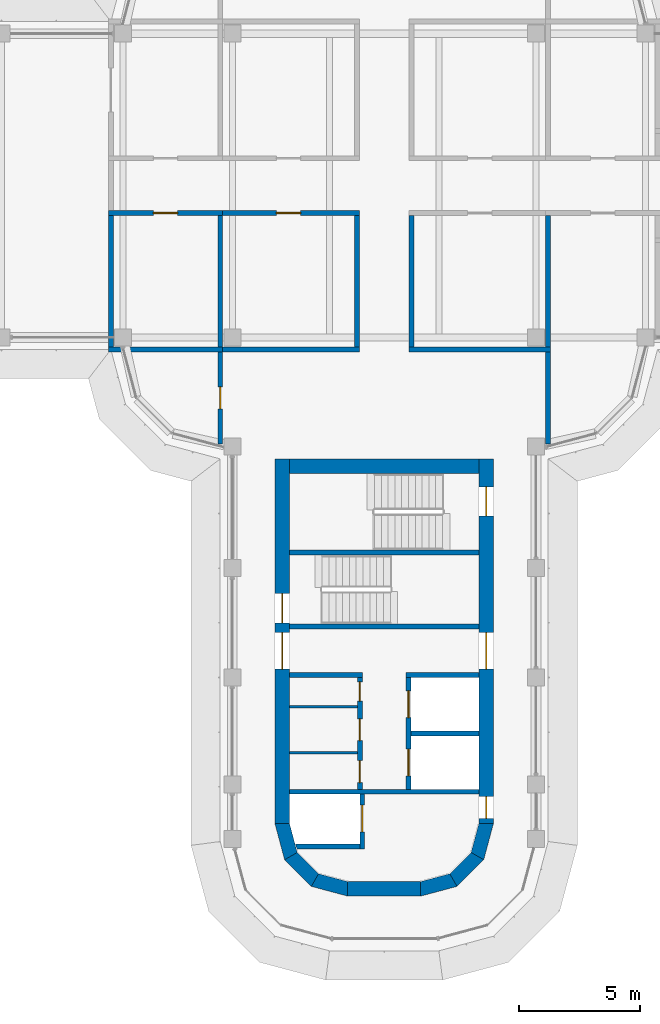
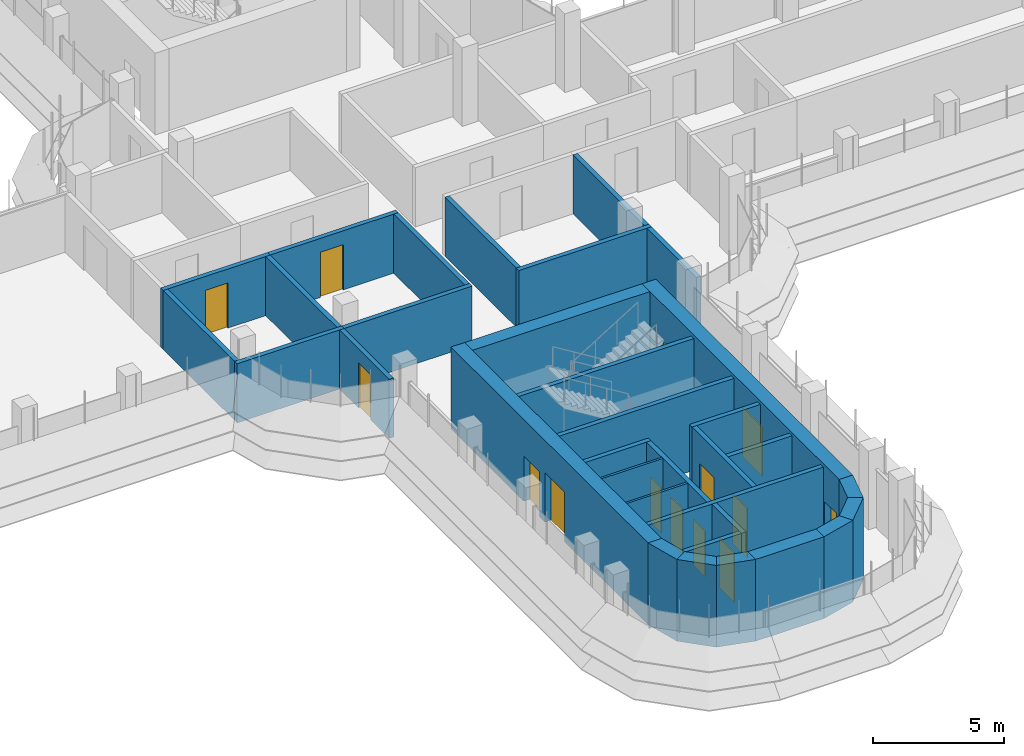
# One storey, part 13 of 19: 34 walls, 14 doors, 14 openings.
"""IFC4 building model written with IfcOpenShell, lengths in metres."""

from ifc_helpers import new_model, si_unit, direction, frame, frame_2d, origin, place, context, subcontext, project, spatial, polyline, rectangle, outline, extrude, material, layer, layer_set, type_object, element, fill, save


model = new_model("IFC4")

# Units and contexts
model_context = context("Model", 3, precision=1e-05, world=origin(), true_north=direction((0.0, 1.0)))
body_context = subcontext(model_context, "Body", "Model", "MODEL_VIEW")
ifc_project = project(units=[si_unit("LENGTHUNIT", "METRE"), si_unit("AREAUNIT", "SQUARE_METRE"), si_unit("VOLUMEUNIT", "CUBIC_METRE"), si_unit("PLANEANGLEUNIT", "RADIAN"), si_unit("MASSUNIT", "GRAM", prefix="KILO")], contexts=[model_context])

# Site, building, storey
site_placement = place(None, origin())
site = spatial("IfcSite", under=ifc_project, at=site_placement, CompositionType="ELEMENT")
building_placement = place(site_placement, origin())
building = spatial("IfcBuilding", under=site, at=building_placement, Name="Zarbagh Exchange Tower", CompositionType="ELEMENT")
storey_placement = place(building_placement, frame((0.0, 0.0, 241.0)))
storey = spatial("IfcBuildingStorey", under=building, at=storey_placement, Name="L59", CompositionType="ELEMENT", Elevation=241.0)

# Walls
ifc_material_1 = material(Name="Dense blockwork", Category="masonry")
ifc_layer_1 = layer(ifc_material_1, 0.10009765625)
ifc_layer_set_1 = layer_set([ifc_layer_1], Name="Core partition 100 mm blockwork")
wall_type_1 = type_object("IfcWallType", Name="Core partition 100 mm blockwork", PredefinedType="PARTITIONING", material=ifc_layer_set_1)
for number, where, z_axis, x_axis, name in (
    (1, (-1.10009765625, -23.35009765625, 0.0), (0.0, 0.0, 1.0), (-1.0, 0.0, 0.0), "South core partition wall CUT-E-500"),
    (2, (-1.10009765625, -21.449951171875, 0.0), (0.0, 0.0, 1.0), (-1.0, 0.0, 0.0), "South core partition wall CUT-E-690"),
):
    element("IfcWall", number, at=place(storey_placement, frame(where, z_axis=z_axis, x_axis=x_axis)), inside=storey, type_object=wall_type_1, Name=name, PredefinedType="PARTITIONING", context=body_context, shape_type="SweptSolid", body=[
        extrude(rectangle(XDim=2.7998046875, YDim=0.10009765625, at=frame_2d((1.39990234375, 0.0))), origin(), (0.0, 0.0, 1.0), 3.64990234375),
    ])

# Wall, opening, door
ifc_material_2 = material(Name="Fire-rated plasterboard partition")
ifc_layer_2 = layer(ifc_material_2, 0.199951171875)
ifc_layer_set_2 = layer_set([ifc_layer_2], Name="RATED PARTITION 200")
wall_type_2 = type_object("IfcWallType", Name="RATED PARTITION 200", PredefinedType="PARTITIONING", material=ifc_layer_set_2)
wall_1_placement = place(storey_placement, frame((-1.02490234375, -1.125, 0.0), z_axis=(0.0, 0.0, 1.0), x_axis=(-1.0, 0.0, 0.0)))
wall_1 = element("IfcWall", 3, at=wall_1_placement, inside=storey, type_object=wall_type_2, Name="Partition W-2507", PredefinedType="PARTITIONING", context=body_context, shape_type="SweptSolid", body=[
    extrude(rectangle(XDim=5.8251953125, YDim=0.199951171875, at=frame_2d((2.91259765625, 0.0))), origin(), (0.0, 0.0, 1.0), 2.745849609375),
])
opening_1_placement = place(wall_1_placement, frame((2.41259765625, 0.0, 0.0)))
opening_1 = element("IfcOpeningElement", 4, at=opening_1_placement, cuts=wall_1, Name="Opening D-2512", PredefinedType="OPENING", context=body_context, shape_type="SweptSolid", body=[
    extrude(rectangle(XDim=1.0, YDim=2.10009765625, at=frame_2d((0.5, 1.050048828125))), frame((0.0, 0.10986328125, 0.0), z_axis=(0.0, -1.0, 0.0), x_axis=(1.0, 0.0, 0.0)), (0.0, 0.0, 1.0), 0.219970703125),
])
ifc_material_3 = material(Name="Steel door set", Category="steel")
door_type_1 = type_object("IfcDoorType", Name="FIRE DOOR 1000 X 2100 FD30S", OperationType="NOTDEFINED", PredefinedType="DOOR", material=ifc_material_3)
door_1_placement = place(opening_1_placement, origin())
door_1 = element("IfcDoor", 5, at=door_1_placement, inside=storey, type_object=door_type_1, Name="Door D-2512", OperationType="SINGLE_SWING_RIGHT", OverallHeight=2.10009765625, OverallWidth=1.0, PredefinedType="DOOR", context=body_context, shape_type="SweptSolid", body=[
    extrude(rectangle(XDim=1.0, YDim=2.10009765625, at=frame_2d((0.5, 1.050048828125))), frame((0.0, 0.02490234375, 0.0), z_axis=(0.0, -1.0, 0.0), x_axis=(1.0, 0.0, 0.0)), (0.0, 0.0, 1.0), 0.050048828125),
])
fill(opening_1, door_1)

wall_2_placement = place(storey_placement, frame((-6.64990234375, -1.125, 0.0), z_axis=(0.0, 0.0, 1.0), x_axis=(-1.0, 0.0, 0.0)))
wall_2 = element("IfcWall", 6, at=wall_2_placement, inside=storey, type_object=wall_type_2, Name="Partition W-2508", PredefinedType="PARTITIONING", context=body_context, shape_type="SweptSolid", body=[
    extrude(rectangle(XDim=4.7001953125, YDim=0.199951171875, at=frame_2d((2.35009765625, 0.0))), origin(), (0.0, 0.0, 1.0), 2.745849609375),
])
opening_2_placement = place(wall_2_placement, frame((1.85009765625, 0.0, 0.0)))
opening_2 = element("IfcOpeningElement", 7, at=opening_2_placement, cuts=wall_2, Name="Opening D-2513", PredefinedType="OPENING", context=body_context, shape_type="SweptSolid", body=[
    extrude(rectangle(XDim=1.0, YDim=2.10009765625, at=frame_2d((0.5, 1.050048828125))), frame((0.0, 0.10986328125, 0.0), z_axis=(0.0, -1.0, 0.0), x_axis=(1.0, 0.0, 0.0)), (0.0, 0.0, 1.0), 0.219970703125),
])
door_2_placement = place(opening_2_placement, origin())
door_2 = element("IfcDoor", 8, at=door_2_placement, inside=storey, type_object=door_type_1, Name="Door D-2513", OperationType="SINGLE_SWING_RIGHT", OverallHeight=2.10009765625, OverallWidth=1.0, PredefinedType="DOOR", context=body_context, shape_type="SweptSolid", body=[
    extrude(rectangle(XDim=1.0, YDim=2.10009765625, at=frame_2d((0.5, 1.050048828125))), frame((0.0, 0.02490234375, 0.0), z_axis=(0.0, -1.0, 0.0), x_axis=(1.0, 0.0, 0.0)), (0.0, 0.0, 1.0), 0.050048828125),
])
fill(opening_2, door_2)

# Walls
for number, where, z_axis, x_axis, name in (
    (9, (1.125, -6.64990234375, 0.0), (0.0, 0.0, 1.0), (0.0, 1.0, 0.0), "Partition W-2512"),
    (10, (-1.125, -6.64990234375, 0.0), (0.0, 0.0, 1.0), (0.0, 1.0, 0.0), "Partition W-2513"),
):
    element("IfcWall", number, at=place(storey_placement, frame(where, z_axis=z_axis, x_axis=x_axis)), inside=storey, type_object=wall_type_2, Name=name, PredefinedType="PARTITIONING", context=body_context, shape_type="SweptSolid", body=[
        extrude(rectangle(XDim=5.4248046875, YDim=0.199951171875, at=frame_2d((2.71240234375, 0.0))), origin(), (0.0, 0.0, 1.0), 2.745849609375),
    ])
wall_3_placement = place(storey_placement, frame((1.02490234375, -6.75, 0.0), z_axis=(0.0, 0.0, 1.0), x_axis=(1.0, 0.0, 0.0)))
element("IfcWall", 11, at=wall_3_placement, inside=storey, type_object=wall_type_2, Name="Partition W-2518", PredefinedType="PARTITIONING", context=body_context, shape_type="SweptSolid", body=[
    extrude(rectangle(XDim=5.8251953125, YDim=0.199951171875, at=frame_2d((2.91259765625, 0.0))), origin(), (0.0, 0.0, 1.0), 2.745849609375),
])
wall_4_placement = place(storey_placement, frame((6.75, -10.6298828125, 0.0), z_axis=(0.0, 0.0, 1.0), x_axis=(0.0, 1.0, 0.0)))
element("IfcWall", 12, at=wall_4_placement, inside=storey, type_object=wall_type_2, Name="Partition W-2519", PredefinedType="PARTITIONING", context=body_context, shape_type="SweptSolid", body=[
    extrude(rectangle(XDim=3.77978515625, YDim=0.199951171875, at=frame_2d((1.889892578125, 0.0))), origin(), (0.0, 0.0, 1.0), 2.745849609375),
])
wall_5_placement = place(storey_placement, frame((-6.85009765625, -6.75, 0.0), z_axis=(0.0, 0.0, 1.0), x_axis=(1.0, 0.0, 0.0)))
element("IfcWall", 13, at=wall_5_placement, inside=storey, type_object=wall_type_2, Name="Partition W-2520", PredefinedType="PARTITIONING", context=body_context, shape_type="SweptSolid", body=[
    extrude(rectangle(XDim=5.8251953125, YDim=0.199951171875, at=frame_2d((2.91259765625, 0.0))), origin(), (0.0, 0.0, 1.0), 2.745849609375),
])

# Wall, opening, door
wall_6_placement = place(storey_placement, frame((-6.75, -10.6298828125, 0.0), z_axis=(0.0, 0.0, 1.0), x_axis=(0.0, 1.0, 0.0)))
wall_6 = element("IfcWall", 14, at=wall_6_placement, inside=storey, type_object=wall_type_2, Name="Partition W-2521", PredefinedType="PARTITIONING", context=body_context, shape_type="SweptSolid", body=[
    extrude(rectangle(XDim=3.77978515625, YDim=0.199951171875, at=frame_2d((1.889892578125, 0.0))), origin(), (0.0, 0.0, 1.0), 2.745849609375),
])
opening_3_placement = place(wall_6_placement, frame((1.43994140625, 0.0, 0.0)))
opening_3 = element("IfcOpeningElement", 15, at=opening_3_placement, cuts=wall_6, Name="Opening D-2514", PredefinedType="OPENING", context=body_context, shape_type="SweptSolid", body=[
    extrude(rectangle(XDim=0.89990234375, YDim=2.10009765625, at=frame_2d((0.449951171875, 1.050048828125))), frame((0.0, 0.10986328125, 0.0), z_axis=(0.0, -1.0, 0.0), x_axis=(1.0, 0.0, 0.0)), (0.0, 0.0, 1.0), 0.219970703125),
])
ifc_material_4 = material(Name="Timber door leaf", Category="wood")
door_type_2 = type_object("IfcDoorType", Name="DOOR 900 X 2100", OperationType="NOTDEFINED", PredefinedType="DOOR", material=ifc_material_4)
door_3_placement = place(opening_3_placement, origin())
door_3 = element("IfcDoor", 16, at=door_3_placement, inside=storey, type_object=door_type_2, Name="Door D-2514", OperationType="SINGLE_SWING_RIGHT", OverallHeight=2.10009765625, OverallWidth=0.89990234375, PredefinedType="DOOR", context=body_context, shape_type="SweptSolid", body=[
    extrude(rectangle(XDim=0.89990234375, YDim=2.10009765625, at=frame_2d((0.449951171875, 1.050048828125))), frame((0.0, 0.02490234375, 0.0), z_axis=(0.0, -1.0, 0.0), x_axis=(1.0, 0.0, 0.0)), (0.0, 0.0, 1.0), 0.050048828125),
])
fill(opening_3, door_3)

# Walls
for number, where, z_axis, x_axis, name in (
    (17, (6.75, -6.64990234375, 0.0), (0.0, 0.0, 1.0), (0.0, 1.0, 0.0), "Partition W-2529"),
    (18, (-6.75, -6.64990234375, 0.0), (0.0, 0.0, 1.0), (0.0, 1.0, 0.0), "Partition W-2532"),
):
    element("IfcWall", number, at=place(storey_placement, frame(where, z_axis=z_axis, x_axis=x_axis)), inside=storey, type_object=wall_type_2, Name=name, PredefinedType="PARTITIONING", context=body_context, shape_type="SweptSolid", body=[
        extrude(rectangle(XDim=5.4248046875, YDim=0.199951171875, at=frame_2d((2.71240234375, 0.0))), origin(), (0.0, 0.0, 1.0), 2.745849609375),
    ])
wall_7_placement = place(storey_placement, frame((-11.35009765625, -6.75, 0.0), z_axis=(0.0, 0.0, 1.0), x_axis=(1.0, 0.0, 0.0)))
element("IfcWall", 19, at=wall_7_placement, inside=storey, type_object=wall_type_2, Name="Partition W-2533", PredefinedType="PARTITIONING", context=body_context, shape_type="SweptSolid", body=[
    extrude(rectangle(XDim=4.7001953125, YDim=0.199951171875, at=frame_2d((2.35009765625, 0.0))), origin(), (0.0, 0.0, 1.0), 2.745849609375),
])
wall_8_placement = place(storey_placement, frame((-11.25, -6.64990234375, 0.0), z_axis=(0.0, 0.0, 1.0), x_axis=(0.0, 1.0, 0.0)))
element("IfcWall", 20, at=wall_8_placement, inside=storey, type_object=wall_type_2, Name="Partition W-2534", PredefinedType="PARTITIONING", context=body_context, shape_type="SweptSolid", body=[
    extrude(rectangle(XDim=5.4248046875, YDim=0.199951171875, at=frame_2d((2.71240234375, 0.0))), origin(), (0.0, 0.0, 1.0), 2.745849609375),
])
ifc_material_5 = material(Name="Concrete C50/60", Category="concrete")
ifc_layer_3 = layer(ifc_material_5, 0.60009765625)
ifc_layer_set_3 = layer_set([ifc_layer_3], Name="RC core corner wall 600 C50/60")
wall_type_3 = type_object("IfcWallType", Name="RC core corner wall 600 C50/60", PredefinedType="SHEAR", material=ifc_layer_set_3)
wall_9_placement = place(storey_placement, origin())
element("IfcWall", 21, at=wall_9_placement, inside=storey, type_object=wall_type_3, Name="CW8 core S corner W", PredefinedType="SHEAR", context=body_context, shape_type="SweptSolid", body=[
    extrude(outline(polyline([(-4.5, -26.25), (-4.09814453125, -27.75), (-3.57861328125, -27.449951171875), (-3.89990234375, -26.25), (-4.5, -26.25)])), origin(), (0.0, 0.0, 1.0), 3.800048828125),
])
wall_10_placement = place(storey_placement, origin())
element("IfcWall", 22, at=wall_10_placement, inside=storey, type_object=wall_type_3, Name="CW8 core S corner W", PredefinedType="SHEAR", context=body_context, shape_type="SweptSolid", body=[
    extrude(outline(polyline([(-4.09814453125, -27.75), (-3.0, -28.84814453125), (-2.699951171875, -28.32861328125), (-3.57861328125, -27.449951171875), (-4.09814453125, -27.75)])), origin(), (0.0, 0.0, 1.0), 3.800048828125),
])
wall_11_placement = place(storey_placement, origin())
element("IfcWall", 23, at=wall_11_placement, inside=storey, type_object=wall_type_3, Name="CW8 core S corner W", PredefinedType="SHEAR", context=body_context, shape_type="SweptSolid", body=[
    extrude(outline(polyline([(-3.0, -28.84814453125), (-1.5, -29.25), (-1.5, -28.64990234375), (-2.699951171875, -28.32861328125), (-3.0, -28.84814453125)])), origin(), (0.0, 0.0, 1.0), 3.800048828125),
])
wall_12_placement = place(storey_placement, origin())
element("IfcWall", 24, at=wall_12_placement, inside=storey, type_object=wall_type_3, Name="CW8 core S corner E", PredefinedType="SHEAR", context=body_context, shape_type="SweptSolid", body=[
    extrude(outline(polyline([(4.5, -26.25), (4.09814453125, -27.75), (3.57861328125, -27.449951171875), (3.89990234375, -26.25), (4.5, -26.25)])), origin(), (0.0, 0.0, 1.0), 3.800048828125),
])
wall_13_placement = place(storey_placement, origin())
element("IfcWall", 25, at=wall_13_placement, inside=storey, type_object=wall_type_3, Name="CW8 core S corner E", PredefinedType="SHEAR", context=body_context, shape_type="SweptSolid", body=[
    extrude(outline(polyline([(4.09814453125, -27.75), (3.0, -28.84814453125), (2.699951171875, -28.32861328125), (3.57861328125, -27.449951171875), (4.09814453125, -27.75)])), origin(), (0.0, 0.0, 1.0), 3.800048828125),
])
wall_14_placement = place(storey_placement, origin())
element("IfcWall", 26, at=wall_14_placement, inside=storey, type_object=wall_type_3, Name="CW8 core S corner E", PredefinedType="SHEAR", context=body_context, shape_type="SweptSolid", body=[
    extrude(outline(polyline([(3.0, -28.84814453125), (1.5, -29.25), (1.5, -28.64990234375), (2.699951171875, -28.32861328125), (3.0, -28.84814453125)])), origin(), (0.0, 0.0, 1.0), 3.800048828125),
])

# Wall, openings, doors
ifc_layer_4 = layer(ifc_material_5, 0.60009765625)
ifc_layer_set_4 = layer_set([ifc_layer_4], Name="RC core wall 600 C50/60")
wall_type_4 = type_object("IfcWallType", Name="RC core wall 600 C50/60", PredefinedType="SHEAR", material=ifc_layer_set_4)
wall_15_placement = place(storey_placement, frame((-4.199951171875, -11.25, 0.0), z_axis=(0.0, 0.0, 1.0), x_axis=(0.0, -1.0, 0.0)))
wall_15 = element("IfcWall", 27, at=wall_15_placement, inside=storey, type_object=wall_type_4, Name="CW7 core S W", PredefinedType="SHEAR", context=body_context, shape_type="SweptSolid", body=[
    extrude(rectangle(XDim=15.0, YDim=0.60009765625, at=frame_2d((7.5, 0.0))), origin(), (0.0, 0.0, 1.0), 3.800048828125),
])
opening_4_placement = place(wall_15_placement, frame((7.14990234375, 0.0, 0.0)))
opening_4 = element("IfcOpeningElement", 28, at=opening_4_placement, cuts=wall_15, Name="Opening CD1-1500", PredefinedType="OPENING", context=body_context, shape_type="SweptSolid", body=[
    extrude(rectangle(XDim=1.5, YDim=2.300048828125, at=frame_2d((0.75, 1.14990234375))), frame((0.0, 0.31005859375, 0.0), z_axis=(0.0, -1.0, 0.0), x_axis=(1.0, 0.0, 0.0)), (0.0, 0.0, 1.0), 0.6201171875),
])
opening_5_placement = place(wall_15_placement, frame((5.550048828125, 0.0, 0.0)))
opening_5 = element("IfcOpeningElement", 29, at=opening_5_placement, cuts=wall_15, Name="Opening SD1-1200", PredefinedType="OPENING", context=body_context, shape_type="SweptSolid", body=[
    extrude(rectangle(XDim=1.199951171875, YDim=2.10009765625, at=frame_2d((0.60009765625, 1.050048828125))), frame((0.0, 0.31005859375, 0.0), z_axis=(0.0, -1.0, 0.0), x_axis=(1.0, 0.0, 0.0)), (0.0, 0.0, 1.0), 0.6201171875),
])
ifc_material_6 = material(Name="Steel", Category="steel")
door_type_3 = type_object("IfcDoorType", Name="Exit stair door 1200 x 2100", OperationType="NOTDEFINED", PredefinedType="DOOR", material=ifc_material_6)
door_4_placement = place(opening_5_placement, origin())
door_4 = element("IfcDoor", 30, at=door_4_placement, inside=storey, type_object=door_type_3, Name="South core stair door ST1", OperationType="SINGLE_SWING_RIGHT", OverallHeight=2.10009765625, OverallWidth=1.199951171875, PredefinedType="DOOR", context=body_context, shape_type="SweptSolid", body=[
    extrude(rectangle(XDim=1.199951171875, YDim=2.10009765625, at=frame_2d((0.60009765625, 1.050048828125))), frame((0.0, 0.02490234375, 0.0), z_axis=(0.0, -1.0, 0.0), x_axis=(1.0, 0.0, 0.0)), (0.0, 0.0, 1.0), 0.050048828125),
])
fill(opening_5, door_4)
door_type_4 = type_object("IfcDoorType", Name="Lift lobby double door 1500 x 2300", OperationType="NOTDEFINED", PredefinedType="DOOR", material=ifc_material_6)
door_5_placement = place(opening_4_placement, origin())
door_5 = element("IfcDoor", 31, at=door_5_placement, inside=storey, type_object=door_type_4, Name="South core lift lobby door LOBBY-E", OperationType="DOUBLE_DOOR_SINGLE_SWING", OverallHeight=2.300048828125, OverallWidth=1.5, PredefinedType="DOOR", context=body_context, shape_type="SweptSolid", body=[
    extrude(rectangle(XDim=1.5, YDim=2.300048828125, at=frame_2d((0.75, 1.14990234375))), frame((0.0, 0.02490234375, 0.0), z_axis=(0.0, -1.0, 0.0), x_axis=(1.0, 0.0, 0.0)), (0.0, 0.0, 1.0), 0.050048828125),
])
fill(opening_4, door_5)

wall_16_placement = place(storey_placement, frame((4.199951171875, -11.25, 0.0), z_axis=(0.0, 0.0, 1.0), x_axis=(0.0, -1.0, 0.0)))
wall_16 = element("IfcWall", 32, at=wall_16_placement, inside=storey, type_object=wall_type_4, Name="CW7 core S E", PredefinedType="SHEAR", context=body_context, shape_type="SweptSolid", body=[
    extrude(rectangle(XDim=15.0, YDim=0.60009765625, at=frame_2d((7.5, 0.0))), origin(), (0.0, 0.0, 1.0), 3.800048828125),
])
opening_6_placement = place(wall_16_placement, frame((7.14990234375, 0.0, 0.0)))
opening_6 = element("IfcOpeningElement", 33, at=opening_6_placement, cuts=wall_16, Name="Opening CD1-1500", PredefinedType="OPENING", context=body_context, shape_type="SweptSolid", body=[
    extrude(rectangle(XDim=1.5, YDim=2.300048828125, at=frame_2d((0.75, 1.14990234375))), frame((0.0, 0.31005859375, 0.0), z_axis=(0.0, -1.0, 0.0), x_axis=(1.0, 0.0, 0.0)), (0.0, 0.0, 1.0), 0.6201171875),
])
opening_7_placement = place(wall_16_placement, frame((13.89990234375, 0.0, 0.0)))
opening_7 = element("IfcOpeningElement", 34, at=opening_7_placement, cuts=wall_16, Name="Opening CD2-900", PredefinedType="OPENING", context=body_context, shape_type="SweptSolid", body=[
    extrude(rectangle(XDim=0.89990234375, YDim=2.10009765625, at=frame_2d((0.449951171875, 1.050048828125))), frame((0.0, 0.31005859375, 0.0), z_axis=(0.0, -1.0, 0.0), x_axis=(1.0, 0.0, 0.0)), (0.0, 0.0, 1.0), 0.6201171875),
])
opening_8_placement = place(wall_16_placement, frame((1.14990234375, 0.0, 0.0)))
opening_8 = element("IfcOpeningElement", 35, at=opening_8_placement, cuts=wall_16, Name="Opening SD1-1200", PredefinedType="OPENING", context=body_context, shape_type="SweptSolid", body=[
    extrude(rectangle(XDim=1.199951171875, YDim=2.10009765625, at=frame_2d((0.60009765625, 1.050048828125))), frame((0.0, 0.31005859375, 0.0), z_axis=(0.0, -1.0, 0.0), x_axis=(1.0, 0.0, 0.0)), (0.0, 0.0, 1.0), 0.6201171875),
])
door_6_placement = place(opening_8_placement, origin())
door_6 = element("IfcDoor", 36, at=door_6_placement, inside=storey, type_object=door_type_3, Name="South core stair door ST2", OperationType="SINGLE_SWING_LEFT", OverallHeight=2.10009765625, OverallWidth=1.199951171875, PredefinedType="DOOR", context=body_context, shape_type="SweptSolid", body=[
    extrude(rectangle(XDim=1.199951171875, YDim=2.10009765625, at=frame_2d((0.60009765625, 1.050048828125))), frame((0.0, 0.02490234375, 0.0), z_axis=(0.0, -1.0, 0.0), x_axis=(1.0, 0.0, 0.0)), (0.0, 0.0, 1.0), 0.050048828125),
])
fill(opening_8, door_6)
door_type_5 = type_object("IfcDoorType", Name="Firefighting lobby door 900 x 2100", OperationType="NOTDEFINED", PredefinedType="DOOR", material=ifc_material_6)
door_7_placement = place(opening_7_placement, origin())
door_7 = element("IfcDoor", 37, at=door_7_placement, inside=storey, type_object=door_type_5, Name="South core firefighting lobby door FF-W", OperationType="SINGLE_SWING_RIGHT", OverallHeight=2.10009765625, OverallWidth=0.89990234375, PredefinedType="DOOR", context=body_context, shape_type="SweptSolid", body=[
    extrude(rectangle(XDim=0.89990234375, YDim=2.10009765625, at=frame_2d((0.449951171875, 1.050048828125))), frame((0.0, 0.02490234375, 0.0), z_axis=(0.0, -1.0, 0.0), x_axis=(1.0, 0.0, 0.0)), (0.0, 0.0, 1.0), 0.050048828125),
])
fill(opening_7, door_7)
door_8_placement = place(opening_6_placement, origin())
door_8 = element("IfcDoor", 38, at=door_8_placement, inside=storey, type_object=door_type_4, Name="South core lift lobby door LOBBY-W", OperationType="DOUBLE_DOOR_SINGLE_SWING", OverallHeight=2.300048828125, OverallWidth=1.5, PredefinedType="DOOR", context=body_context, shape_type="SweptSolid", body=[
    extrude(rectangle(XDim=1.5, YDim=2.300048828125, at=frame_2d((0.75, 1.14990234375))), frame((0.0, 0.02490234375, 0.0), z_axis=(0.0, -1.0, 0.0), x_axis=(1.0, 0.0, 0.0)), (0.0, 0.0, 1.0), 0.050048828125),
])
fill(opening_6, door_8)

# Walls
wall_17_placement = place(storey_placement, frame((-3.89990234375, -11.550048828125, 0.0), z_axis=(0.0, 0.0, 1.0), x_axis=(1.0, 0.0, 0.0)))
element("IfcWall", 39, at=wall_17_placement, inside=storey, type_object=wall_type_4, Name="CW7 core S inner end", PredefinedType="SHEAR", context=body_context, shape_type="SweptSolid", body=[
    extrude(rectangle(XDim=7.7998046875, YDim=0.60009765625, at=frame_2d((3.89990234375, 0.0))), origin(), (0.0, 0.0, 1.0), 3.800048828125),
])
wall_18_placement = place(storey_placement, frame((-1.5, -28.949951171875, 0.0), z_axis=(0.0, 0.0, 1.0), x_axis=(1.0, 0.0, 0.0)))
element("IfcWall", 40, at=wall_18_placement, inside=storey, type_object=wall_type_4, Name="CW7 core S outer end", PredefinedType="SHEAR", context=body_context, shape_type="SweptSolid", body=[
    extrude(rectangle(XDim=3.0, YDim=0.60009765625, at=frame_2d((1.5, 0.0))), origin(), (0.0, 0.0, 1.0), 3.800048828125),
])
ifc_layer_5 = layer(ifc_material_1, 0.199951171875)
ifc_layer_set_5 = layer_set([ifc_layer_5], Name="Shaft wall 200 mm blockwork")
wall_type_5 = type_object("IfcWallType", Name="Shaft wall 200 mm blockwork", PredefinedType="PARTITIONING", material=ifc_layer_set_5)
wall_19_placement = place(storey_placement, frame((3.89990234375, -20.14990234375, 0.0), z_axis=(0.0, 0.0, 1.0), x_axis=(-1.0, 0.0, 0.0)))
element("IfcWall", 41, at=wall_19_placement, inside=storey, type_object=wall_type_5, Name="South core shaft wall AB-W", PredefinedType="PARTITIONING", context=body_context, shape_type="SweptSolid", body=[
    extrude(rectangle(XDim=3.0, YDim=0.199951171875, at=frame_2d((1.5, 0.0))), origin(), (0.0, 0.0, 1.0), 3.64990234375),
])

# Wall, openings, doors
wall_20_placement = place(storey_placement, frame((1.0, -24.85009765625, 0.0), z_axis=(0.0, 0.0, 1.0), x_axis=(0.0, 1.0, 0.0)))
wall_20 = element("IfcWall", 42, at=wall_20_placement, inside=storey, type_object=wall_type_5, Name="South core shaft wall LW-W", PredefinedType="PARTITIONING", context=body_context, shape_type="SweptSolid", body=[
    extrude(rectangle(XDim=4.60009765625, YDim=0.199951171875, at=frame_2d((2.300048828125, 0.0))), origin(), (0.0, 0.0, 1.0), 3.64990234375),
])
opening_9_placement = place(wall_20_placement, frame((0.550048828125, 0.0, 0.0)))
opening_9 = element("IfcOpeningElement", 43, at=opening_9_placement, cuts=wall_20, Name="Opening LD-1100", PredefinedType="OPENING", context=body_context, shape_type="SweptSolid", body=[
    extrude(rectangle(XDim=1.10009765625, YDim=2.300048828125, at=frame_2d((0.550048828125, 1.14990234375))), frame((0.0, 0.10986328125, 0.0), z_axis=(0.0, -1.0, 0.0), x_axis=(1.0, 0.0, 0.0)), (0.0, 0.0, 1.0), 0.219970703125),
])
opening_10_placement = place(wall_20_placement, frame((2.949951171875, 0.0, 0.0)))
opening_10 = element("IfcOpeningElement", 44, at=opening_10_placement, cuts=wall_20, Name="Opening LD-1100", PredefinedType="OPENING", context=body_context, shape_type="SweptSolid", body=[
    extrude(rectangle(XDim=1.10009765625, YDim=2.300048828125, at=frame_2d((0.550048828125, 1.14990234375))), frame((0.0, 0.10986328125, 0.0), z_axis=(0.0, -1.0, 0.0), x_axis=(1.0, 0.0, 0.0)), (0.0, 0.0, 1.0), 0.219970703125),
])
ifc_material_7 = material(Name="Stainless steel", Category="steel")
door_type_6 = type_object("IfcDoorType", Name="Lift landing door 1100 x 2300", OperationType="NOTDEFINED", PredefinedType="DOOR", material=ifc_material_7)
door_9_placement = place(opening_9_placement, origin())
door_9 = element("IfcDoor", 45, at=door_9_placement, inside=storey, type_object=door_type_6, Name="South core lift landing door LD-P-S1", OperationType="DOUBLE_DOOR_SLIDING", OverallHeight=2.300048828125, OverallWidth=1.10009765625, PredefinedType="DOOR", context=body_context, shape_type="SweptSolid", body=[
    extrude(rectangle(XDim=1.10009765625, YDim=2.300048828125, at=frame_2d((0.550048828125, 1.14990234375))), frame((0.0, 0.02490234375, 0.0), z_axis=(0.0, -1.0, 0.0), x_axis=(1.0, 0.0, 0.0)), (0.0, 0.0, 1.0), 0.050048828125),
])
fill(opening_9, door_9)
door_10_placement = place(opening_10_placement, origin())
door_10 = element("IfcDoor", 46, at=door_10_placement, inside=storey, type_object=door_type_6, Name="South core lift landing door LD-P-S2", OperationType="DOUBLE_DOOR_SLIDING", OverallHeight=2.300048828125, OverallWidth=1.10009765625, PredefinedType="DOOR", context=body_context, shape_type="SweptSolid", body=[
    extrude(rectangle(XDim=1.10009765625, YDim=2.300048828125, at=frame_2d((0.550048828125, 1.14990234375))), frame((0.0, 0.02490234375, 0.0), z_axis=(0.0, -1.0, 0.0), x_axis=(1.0, 0.0, 0.0)), (0.0, 0.0, 1.0), 0.050048828125),
])
fill(opening_10, door_10)

# Wall
wall_21_placement = place(storey_placement, frame((-0.89990234375, -20.14990234375, 0.0), z_axis=(0.0, 0.0, 1.0), x_axis=(-1.0, 0.0, 0.0)))
element("IfcWall", 47, at=wall_21_placement, inside=storey, type_object=wall_type_5, Name="South core shaft wall AB-E", PredefinedType="PARTITIONING", context=body_context, shape_type="SweptSolid", body=[
    extrude(rectangle(XDim=3.0, YDim=0.199951171875, at=frame_2d((1.5, 0.0))), origin(), (0.0, 0.0, 1.0), 3.64990234375),
])

# Wall, openings, doors
wall_22_placement = place(storey_placement, frame((-1.0, -24.85009765625, 0.0), z_axis=(0.0, 0.0, 1.0), x_axis=(0.0, 1.0, 0.0)))
wall_22 = element("IfcWall", 48, at=wall_22_placement, inside=storey, type_object=wall_type_5, Name="South core shaft wall LW-E", PredefinedType="PARTITIONING", context=body_context, shape_type="SweptSolid", body=[
    extrude(rectangle(XDim=4.60009765625, YDim=0.199951171875, at=frame_2d((2.300048828125, 0.0))), origin(), (0.0, 0.0, 1.0), 3.64990234375),
])
opening_11_placement = place(wall_22_placement, frame((0.27490234375, 0.0, 0.0)))
opening_11 = element("IfcOpeningElement", 49, at=opening_11_placement, cuts=wall_22, Name="Opening CD3-900", PredefinedType="OPENING", context=body_context, shape_type="SweptSolid", body=[
    extrude(rectangle(XDim=0.89990234375, YDim=2.10009765625, at=frame_2d((0.449951171875, 1.050048828125))), frame((0.0, 0.10986328125, 0.0), z_axis=(0.0, -1.0, 0.0), x_axis=(1.0, 0.0, 0.0)), (0.0, 0.0, 1.0), 0.219970703125),
])
opening_12_placement = place(wall_22_placement, frame((2.0, 0.0, 0.0)))
opening_12 = element("IfcOpeningElement", 50, at=opening_12_placement, cuts=wall_22, Name="Opening CD3-900", PredefinedType="OPENING", context=body_context, shape_type="SweptSolid", body=[
    extrude(rectangle(XDim=0.89990234375, YDim=2.10009765625, at=frame_2d((0.449951171875, 1.050048828125))), frame((0.0, 0.10986328125, 0.0), z_axis=(0.0, -1.0, 0.0), x_axis=(1.0, 0.0, 0.0)), (0.0, 0.0, 1.0), 0.219970703125),
])
opening_13_placement = place(wall_22_placement, frame((3.625, 0.0, 0.0)))
opening_13 = element("IfcOpeningElement", 51, at=opening_13_placement, cuts=wall_22, Name="Opening CD3-800", PredefinedType="OPENING", context=body_context, shape_type="SweptSolid", body=[
    extrude(rectangle(XDim=0.800048828125, YDim=2.10009765625, at=frame_2d((0.39990234375, 1.050048828125))), frame((0.0, 0.10986328125, 0.0), z_axis=(0.0, -1.0, 0.0), x_axis=(1.0, 0.0, 0.0)), (0.0, 0.0, 1.0), 0.219970703125),
])
door_type_7 = type_object("IfcDoorType", Name="Core room door 800 x 2100", OperationType="NOTDEFINED", PredefinedType="DOOR", material=ifc_material_6)
door_11_placement = place(opening_13_placement, origin())
door_11 = element("IfcDoor", 52, at=door_11_placement, inside=storey, type_object=door_type_7, Name="South core IT room door RD-E-2", OperationType="SINGLE_SWING_RIGHT", OverallHeight=2.10009765625, OverallWidth=0.800048828125, PredefinedType="DOOR", context=body_context, shape_type="SweptSolid", body=[
    extrude(rectangle(XDim=0.800048828125, YDim=2.10009765625, at=frame_2d((0.39990234375, 1.050048828125))), frame((0.0, 0.02490234375, 0.0), z_axis=(0.0, -1.0, 0.0), x_axis=(1.0, 0.0, 0.0)), (0.0, 0.0, 1.0), 0.050048828125),
])
fill(opening_13, door_11)
door_type_8 = type_object("IfcDoorType", Name="Core room door 900 x 2100", OperationType="NOTDEFINED", PredefinedType="DOOR", material=ifc_material_6)
door_12_placement = place(opening_11_placement, origin())
door_12 = element("IfcDoor", 53, at=door_12_placement, inside=storey, type_object=door_type_8, Name="South core Cleaner's store door RD-E-0", OperationType="SINGLE_SWING_RIGHT", OverallHeight=2.10009765625, OverallWidth=0.89990234375, PredefinedType="DOOR", context=body_context, shape_type="SweptSolid", body=[
    extrude(rectangle(XDim=0.89990234375, YDim=2.10009765625, at=frame_2d((0.449951171875, 1.050048828125))), frame((0.0, 0.02490234375, 0.0), z_axis=(0.0, -1.0, 0.0), x_axis=(1.0, 0.0, 0.0)), (0.0, 0.0, 1.0), 0.050048828125),
])
fill(opening_11, door_12)
door_13_placement = place(opening_12_placement, origin())
door_13 = element("IfcDoor", 54, at=door_13_placement, inside=storey, type_object=door_type_8, Name="South core Pantry door RD-E-1", OperationType="SINGLE_SWING_LEFT", OverallHeight=2.10009765625, OverallWidth=0.89990234375, PredefinedType="DOOR", context=body_context, shape_type="SweptSolid", body=[
    extrude(rectangle(XDim=0.89990234375, YDim=2.10009765625, at=frame_2d((0.449951171875, 1.050048828125))), frame((0.0, 0.02490234375, 0.0), z_axis=(0.0, -1.0, 0.0), x_axis=(1.0, 0.0, 0.0)), (0.0, 0.0, 1.0), 0.050048828125),
])
fill(opening_12, door_13)

# Walls
wall_23_placement = place(storey_placement, frame((3.89990234375, -22.550048828125, 0.0), z_axis=(0.0, 0.0, 1.0), x_axis=(-1.0, 0.0, 0.0)))
element("IfcWall", 55, at=wall_23_placement, inside=storey, type_object=wall_type_5, Name="South core shaft wall TR-W", PredefinedType="PARTITIONING", context=body_context, shape_type="SweptSolid", body=[
    extrude(rectangle(XDim=2.7998046875, YDim=0.199951171875, at=frame_2d((1.39990234375, 0.0))), origin(), (0.0, 0.0, 1.0), 3.64990234375),
])
ifc_material_8 = material(Name="Concrete C40/50", Category="concrete")
ifc_layer_6 = layer(ifc_material_8, 0.199951171875)
ifc_layer_set_6 = layer_set([ifc_layer_6], Name="Stair enclosure wall 200 mm RC C40/50")
wall_type_6 = type_object("IfcWallType", Name="Stair enclosure wall 200 mm RC C40/50", PredefinedType="SHEAR", material=ifc_layer_set_6)
wall_24_placement = place(storey_placement, frame((3.89990234375, -24.949951171875, 0.0), z_axis=(0.0, 0.0, 1.0), x_axis=(-1.0, 0.0, 0.0)))
element("IfcWall", 56, at=wall_24_placement, inside=storey, type_object=wall_type_6, Name="South core lift shaft wall FFA", PredefinedType="SHEAR", context=body_context, shape_type="SweptSolid", body=[
    extrude(rectangle(XDim=7.7998046875, YDim=0.199951171875, at=frame_2d((3.89990234375, 0.0))), origin(), (0.0, 0.0, 1.0), 3.64990234375),
])

# Wall, opening, door
wall_25_placement = place(storey_placement, frame((-0.89990234375, -27.300048828125, 0.0), z_axis=(0.0, 0.0, 1.0), x_axis=(0.0, 1.0, 0.0)))
wall_25 = element("IfcWall", 57, at=wall_25_placement, inside=storey, type_object=wall_type_6, Name="South core lift shaft wall FFL", PredefinedType="SHEAR", context=body_context, shape_type="SweptSolid", body=[
    extrude(rectangle(XDim=2.25, YDim=0.199951171875, at=frame_2d((1.125, 0.0))), origin(), (0.0, 0.0, 1.0), 3.64990234375),
])
opening_14_placement = place(wall_25_placement, frame((0.699951171875, 0.0, 0.0)))
opening_14 = element("IfcOpeningElement", 58, at=opening_14_placement, cuts=wall_25, Name="Opening LD-1100", PredefinedType="OPENING", context=body_context, shape_type="SweptSolid", body=[
    extrude(rectangle(XDim=1.10009765625, YDim=2.300048828125, at=frame_2d((0.550048828125, 1.14990234375))), frame((0.0, 0.10986328125, 0.0), z_axis=(0.0, -1.0, 0.0), x_axis=(1.0, 0.0, 0.0)), (0.0, 0.0, 1.0), 0.219970703125),
])
door_14_placement = place(opening_14_placement, origin())
door_14 = element("IfcDoor", 59, at=door_14_placement, inside=storey, type_object=door_type_6, Name="South core lift landing door LD-F", OperationType="DOUBLE_DOOR_SLIDING", OverallHeight=2.300048828125, OverallWidth=1.10009765625, PredefinedType="DOOR", context=body_context, shape_type="SweptSolid", body=[
    extrude(rectangle(XDim=1.10009765625, YDim=2.300048828125, at=frame_2d((0.550048828125, 1.14990234375))), frame((0.0, 0.02490234375, 0.0), z_axis=(0.0, -1.0, 0.0), x_axis=(1.0, 0.0, 0.0)), (0.0, 0.0, 1.0), 0.050048828125),
])
fill(opening_14, door_14)

# Walls
wall_26_placement = place(storey_placement, origin())
element("IfcWall", 60, at=wall_26_placement, inside=storey, type_object=wall_type_6, Name="South core lift shaft wall FFX", PredefinedType="SHEAR", context=body_context, shape_type="SweptSolid", body=[
    extrude(outline(polyline([(-1.0, -27.10009765625), (-3.651123046875, -27.10009765625), (-3.597412109375, -27.300048828125), (-1.0, -27.300048828125), (-1.0, -27.10009765625)])), origin(), (0.0, 0.0, 1.0), 3.64990234375),
])
for number, where, z_axis, x_axis, name in (
    (61, (3.89990234375, -18.14990234375, 0.0), (0.0, 0.0, 1.0), (-1.0, 0.0, 0.0), "South core stair wall BS"),
    (62, (3.89990234375, -15.10009765625, 0.0), (0.0, 0.0, 1.0), (-1.0, 0.0, 0.0), "South core stair wall ST12"),
):
    element("IfcWall", number, at=place(storey_placement, frame(where, z_axis=z_axis, x_axis=x_axis)), inside=storey, type_object=wall_type_6, Name=name, PredefinedType="SHEAR", context=body_context, shape_type="SweptSolid", body=[
        extrude(rectangle(XDim=7.7998046875, YDim=0.199951171875, at=frame_2d((3.89990234375, 0.0))), origin(), (0.0, 0.0, 1.0), 3.64990234375),
    ])

save(model, "model.ifc")
